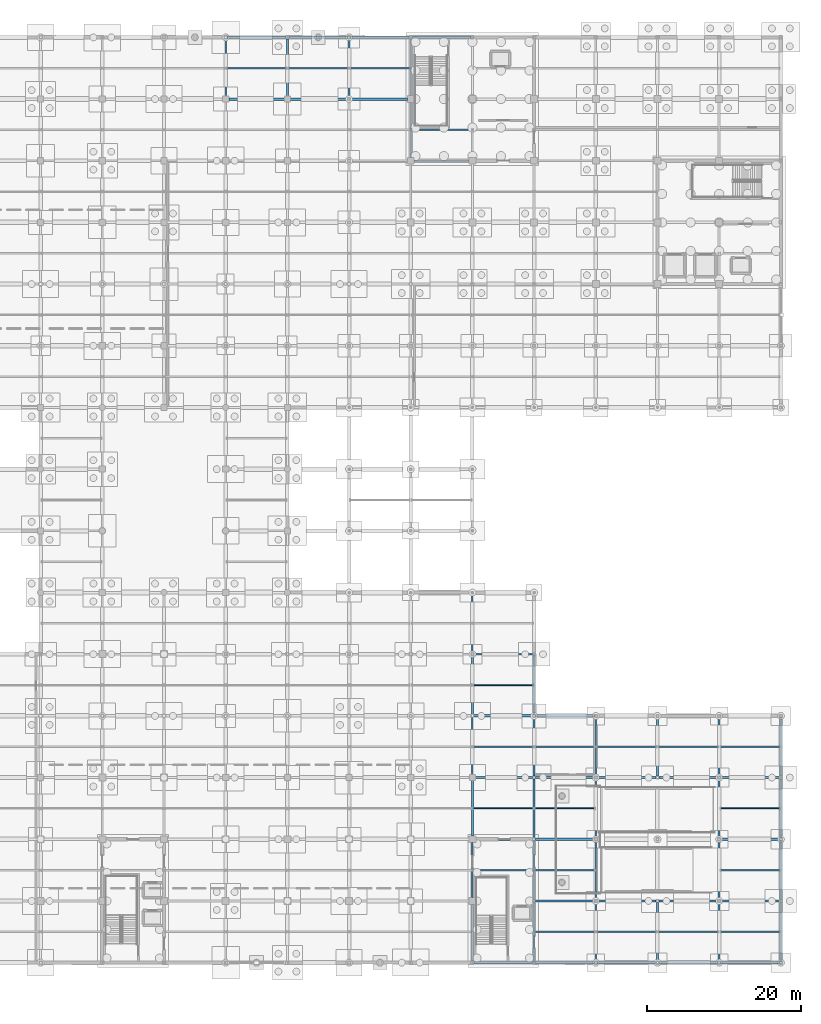
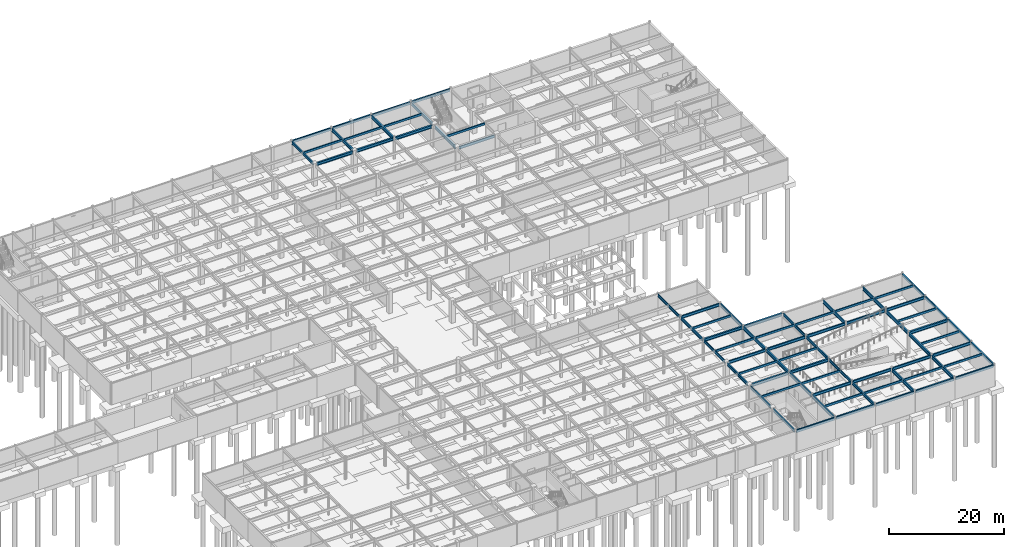
# One storey, part 51 of 105: 78 beams.
"""IFC4 building model written with IfcOpenShell, lengths in metres."""

from ifc_helpers import new_model, si_unit, direction, frame, origin, origin_2d, place, context, subcontext, project, spatial, hollow_rectangle, i_section, extrude, material, material_profile, profile_set, type_object, element, save


model = new_model("IFC4")

# Units and contexts
model_context = context("Model", 3, precision=1e-05, world=origin(), true_north=direction((0.0, 1.0)))
body_context = subcontext(model_context, "Body", "Model", "MODEL_VIEW")
ifc_project = project(units=[si_unit("LENGTHUNIT", "METRE"), si_unit("AREAUNIT", "SQUARE_METRE"), si_unit("VOLUMEUNIT", "CUBIC_METRE"), si_unit("PLANEANGLEUNIT", "RADIAN"), si_unit("MASSUNIT", "GRAM", prefix="KILO")], contexts=[model_context])

# Site, building, storey
site_placement = place(None, origin())
site = spatial("IfcSite", under=ifc_project, at=site_placement, CompositionType="ELEMENT")
building_placement = place(site_placement, origin())
building = spatial("IfcBuilding", under=site, at=building_placement, Name="Solmirada Galleria", CompositionType="ELEMENT")
storey_placement = place(building_placement, frame((0.0, 0.0, -4.800048828125)))
storey = spatial("IfcBuildingStorey", under=building, at=storey_placement, Name="B1", CompositionType="ELEMENT", Elevation=-4.800048828125)

# Beams
ifc_material_1 = material(Name="Steel S355 / ASTM A992 Grade 50", Category="steel")
ifc_material_profile_1 = material_profile(ifc_material_1, i_section(OverallWidth=0.323974609375, OverallDepth=0.611083984375, WebThickness=0.0126953125, FlangeThickness=0.01904296875, FilletRadius=0.014892578125, at=origin_2d()), Name="W24X104")
ifc_profile_set_1 = profile_set([ifc_material_profile_1], Name="Steel S355 / ASTM A992 Grade 50")
beam_type_1 = type_object("IfcBeamType", Name="BM-GIRD-W24A", PredefinedType="BEAM", material=ifc_profile_set_1)
beam_1_placement = place(storey_placement, frame((104.39990234375, 112.0, 4.274658203125), z_axis=(1.0, 0.0, 0.0), x_axis=(0.0, 1.0, 0.0)))
element("IfcBeam", 1, at=beam_1_placement, inside=storey, type_object=beam_type_1, Name="Primary beam L00 X(104..112, 112)", PredefinedType="BEAM", context=body_context, shape_type="SweptSolid", body=[
    extrude(i_section(OverallWidth=0.323974609375, OverallDepth=0.611083984375, WebThickness=0.0126953125, FlangeThickness=0.01904296875, FilletRadius=0.014892578125, at=origin_2d()), origin(), (0.0, 0.0, 1.0), 7.2001953125),
])
beam_2_placement = place(storey_placement, frame((112.39990234375, 112.0, 4.274658203125), z_axis=(1.0, 0.0, 0.0), x_axis=(0.0, 1.0, 0.0)))
element("IfcBeam", 2, at=beam_2_placement, inside=storey, type_object=beam_type_1, Name="Primary beam L00 X(112..120, 112)", PredefinedType="BEAM", context=body_context, shape_type="SweptSolid", body=[
    extrude(i_section(OverallWidth=0.323974609375, OverallDepth=0.611083984375, WebThickness=0.0126953125, FlangeThickness=0.01904296875, FilletRadius=0.014892578125, at=origin_2d()), origin(), (0.0, 0.0, 1.0), 7.422119140625),
])
for number, where, z_axis, x_axis, name in (
    (3, (120.177978515625, 112.0, 4.194580078125), (1.0, 0.0, 0.0), (0.0, 1.0, 0.0), "Primary beam L00 X(120..128, 112)"),
    (4, (136.449951171875, 16.0, 4.274658203125), (1.0, 0.0, 0.0), (0.0, 1.0, 0.0), "Primary beam L00 X(136..144, 16)"),
):
    element("IfcBeam", number, at=place(storey_placement, frame(where, z_axis=z_axis, x_axis=x_axis)), inside=storey, type_object=beam_type_1, Name=name, PredefinedType="BEAM", context=body_context, shape_type="SweptSolid", body=[
        extrude(i_section(OverallWidth=0.323974609375, OverallDepth=0.611083984375, WebThickness=0.0126953125, FlangeThickness=0.01904296875, FilletRadius=0.014892578125, at=origin_2d()), origin(), (0.0, 0.0, 1.0), 7.3720703125),
    ])
beam_3_placement = place(storey_placement, frame((136.17041015625, 32.0, 4.274658203125), z_axis=(1.0, 0.0, 0.0), x_axis=(0.0, 1.0, 0.0)))
element("IfcBeam", 5, at=beam_3_placement, inside=storey, type_object=beam_type_1, Name="Primary beam L00 X(136..144, 32)", PredefinedType="BEAM", context=body_context, shape_type="SweptSolid", body=[
    extrude(i_section(OverallWidth=0.323974609375, OverallDepth=0.611083984375, WebThickness=0.0126953125, FlangeThickness=0.01904296875, FilletRadius=0.014892578125, at=origin_2d()), origin(), (0.0, 0.0, 1.0), 7.6591796875),
])
beam_4_placement = place(storey_placement, frame((144.177978515625, 16.0, 4.274658203125), z_axis=(1.0, 0.0, 0.0), x_axis=(0.0, 1.0, 0.0)))
element("IfcBeam", 6, at=beam_4_placement, inside=storey, type_object=beam_type_1, Name="Primary beam L00 X(144..152, 16)", PredefinedType="BEAM", context=body_context, shape_type="SweptSolid", body=[
    extrude(i_section(OverallWidth=0.323974609375, OverallDepth=0.611083984375, WebThickness=0.0126953125, FlangeThickness=0.01904296875, FilletRadius=0.014892578125, at=origin_2d()), origin(), (0.0, 0.0, 1.0), 7.64404296875),
])
beam_5_placement = place(storey_placement, frame((144.17041015625, 32.0, 4.274658203125), z_axis=(1.0, 0.0, 0.0), x_axis=(0.0, 1.0, 0.0)))
element("IfcBeam", 7, at=beam_5_placement, inside=storey, type_object=beam_type_1, Name="Primary beam L00 X(144..152, 32)", PredefinedType="BEAM", context=body_context, shape_type="SweptSolid", body=[
    extrude(i_section(OverallWidth=0.323974609375, OverallDepth=0.611083984375, WebThickness=0.0126953125, FlangeThickness=0.01904296875, FilletRadius=0.014892578125, at=origin_2d()), origin(), (0.0, 0.0, 1.0), 7.651611328125),
])
beam_6_placement = place(storey_placement, frame((168.177978515625, 16.0, 4.274658203125), z_axis=(1.0, 0.0, 0.0), x_axis=(0.0, 1.0, 0.0)))
element("IfcBeam", 8, at=beam_6_placement, inside=storey, type_object=beam_type_1, Name="Primary beam L00 X(168..176, 16)", PredefinedType="BEAM", context=body_context, shape_type="SweptSolid", body=[
    extrude(i_section(OverallWidth=0.323974609375, OverallDepth=0.611083984375, WebThickness=0.0126953125, FlangeThickness=0.01904296875, FilletRadius=0.014892578125, at=origin_2d()), origin(), (0.0, 0.0, 1.0), 7.64404296875),
])
ifc_material_profile_2 = material_profile(ifc_material_1, i_section(OverallWidth=0.22900390625, OverallDepth=0.612060546875, WebThickness=0.011962890625, FlangeThickness=0.01953125, FilletRadius=0.014892578125, at=origin_2d()), Name="W24X84")
ifc_profile_set_2 = profile_set([ifc_material_profile_2], Name="Steel S355 / ASTM A992 Grade 50")
beam_type_2 = type_object("IfcBeamType", Name="BM-GIRD-W24B", PredefinedType="BEAM", material=ifc_profile_set_2)
beam_7_placement = place(storey_placement, frame((128.449951171875, 104.0, 4.194091796875), z_axis=(1.0, 0.0, 0.0), x_axis=(0.0, 1.0, 0.0)))
element("IfcBeam", 9, at=beam_7_placement, inside=storey, type_object=beam_type_2, Name="Primary beam L00 X(128..136, 104)", PredefinedType="BEAM", context=body_context, shape_type="SweptSolid", body=[
    extrude(i_section(OverallWidth=0.22900390625, OverallDepth=0.612060546875, WebThickness=0.011962890625, FlangeThickness=0.01953125, FilletRadius=0.014892578125, at=origin_2d()), origin(), (0.0, 0.0, 1.0), 7.10009765625),
])
beam_8_placement = place(storey_placement, frame((136.39990234375, 24.0, 4.274169921875), z_axis=(1.0, 0.0, 0.0), x_axis=(0.0, 1.0, 0.0)))
element("IfcBeam", 10, at=beam_8_placement, inside=storey, type_object=beam_type_2, Name="Primary beam L00 X(136..144, 24)", PredefinedType="BEAM", context=body_context, shape_type="SweptSolid", body=[
    extrude(i_section(OverallWidth=0.22900390625, OverallDepth=0.612060546875, WebThickness=0.011962890625, FlangeThickness=0.01953125, FilletRadius=0.014892578125, at=origin_2d()), origin(), (0.0, 0.0, 1.0), 7.422119140625),
])
for number, where, z_axis, x_axis, name in (
    (11, (136.177978515625, 40.0, 4.274169921875), (1.0, 0.0, 0.0), (0.0, 1.0, 0.0), "Primary beam L00 X(136..144, 40)"),
    (12, (144.177978515625, 8.0, 4.274169921875), (1.0, 0.0, 0.0), (0.0, 1.0, 0.0), "Primary beam L00 X(144..152, 8)"),
    (13, (144.177978515625, 24.0, 4.274169921875), (1.0, 0.0, 0.0), (0.0, 1.0, 0.0), "Primary beam L00 X(144..152, 24)"),
    (14, (152.177978515625, 8.0, 4.274169921875), (1.0, 0.0, 0.0), (0.0, 1.0, 0.0), "Primary beam L00 X(152..160, 8)"),
    (15, (152.177978515625, 24.0, 4.274169921875), (1.0, 0.0, 0.0), (0.0, 1.0, 0.0), "Primary beam L00 X(152..160, 24)"),
    (16, (160.177978515625, 8.0, 4.274169921875), (1.0, 0.0, 0.0), (0.0, 1.0, 0.0), "Primary beam L00 X(160..168, 8)"),
    (17, (160.177978515625, 24.0, 4.274169921875), (1.0, 0.0, 0.0), (0.0, 1.0, 0.0), "Primary beam L00 X(160..168, 24)"),
    (18, (168.177978515625, 8.0, 4.274169921875), (1.0, 0.0, 0.0), (0.0, 1.0, 0.0), "Primary beam L00 X(168..176, 8)"),
    (19, (168.177978515625, 24.0, 4.274169921875), (1.0, 0.0, 0.0), (0.0, 1.0, 0.0), "Primary beam L00 X(168..176, 24)"),
):
    element("IfcBeam", number, at=place(storey_placement, frame(where, z_axis=z_axis, x_axis=x_axis)), inside=storey, type_object=beam_type_2, Name=name, PredefinedType="BEAM", context=body_context, shape_type="SweptSolid", body=[
        extrude(i_section(OverallWidth=0.22900390625, OverallDepth=0.612060546875, WebThickness=0.011962890625, FlangeThickness=0.01953125, FilletRadius=0.014892578125, at=origin_2d()), origin(), (0.0, 0.0, 1.0), 7.64404296875),
    ])
ifc_material_profile_3 = material_profile(ifc_material_1, i_section(OverallWidth=0.22802734375, OverallDepth=0.60302734375, WebThickness=0.010498046875, FlangeThickness=0.014892578125, FilletRadius=0.014892578125, at=origin_2d()), Name="W24X68")
ifc_profile_set_3 = profile_set([ifc_material_profile_3], Name="Steel S355 / ASTM A992 Grade 50")
beam_type_3 = type_object("IfcBeamType", Name="BM-GIRD-W24C", PredefinedType="BEAM", material=ifc_profile_set_3)
beam_9_placement = place(storey_placement, frame((104.0, 112.39990234375, 4.278564453125), z_axis=(0.0, 1.0, 0.0), x_axis=(-1.0, 0.0, 0.0)))
element("IfcBeam", 20, at=beam_9_placement, inside=storey, type_object=beam_type_3, Name="Primary girder L00 Y(104, 112..120)", PredefinedType="BEAM", context=body_context, shape_type="SweptSolid", body=[
    extrude(i_section(OverallWidth=0.22802734375, OverallDepth=0.60302734375, WebThickness=0.010498046875, FlangeThickness=0.014892578125, FilletRadius=0.014892578125, at=origin_2d()), origin(), (0.0, 0.0, 1.0), 7.397216796875),
])
beam_10_placement = place(storey_placement, frame((136.0, 0.202880859375, 4.278564453125), z_axis=(0.0, 1.0, 0.0), x_axis=(-1.0, 0.0, 0.0)))
element("IfcBeam", 21, at=beam_10_placement, inside=storey, type_object=beam_type_3, Name="Primary girder L00 Y(136, 0..8)", PredefinedType="BEAM", context=body_context, shape_type="SweptSolid", body=[
    extrude(i_section(OverallWidth=0.22802734375, OverallDepth=0.60302734375, WebThickness=0.010498046875, FlangeThickness=0.014892578125, FilletRadius=0.014892578125, at=origin_2d()), origin(), (0.0, 0.0, 1.0), 7.34716796875),
])
beam_11_placement = place(storey_placement, frame((136.0, 16.449951171875, 4.278564453125), z_axis=(0.0, 1.0, 0.0), x_axis=(-1.0, 0.0, 0.0)))
element("IfcBeam", 22, at=beam_11_placement, inside=storey, type_object=beam_type_3, Name="Primary girder L00 Y(136, 16..24)", PredefinedType="BEAM", context=body_context, shape_type="SweptSolid", body=[
    extrude(i_section(OverallWidth=0.22802734375, OverallDepth=0.60302734375, WebThickness=0.010498046875, FlangeThickness=0.014892578125, FilletRadius=0.014892578125, at=origin_2d()), origin(), (0.0, 0.0, 1.0), 7.150146484375),
])
beam_12_placement = place(storey_placement, frame((136.0, 32.17041015625, 4.278564453125), z_axis=(0.0, 1.0, 0.0), x_axis=(-1.0, 0.0, 0.0)))
element("IfcBeam", 23, at=beam_12_placement, inside=storey, type_object=beam_type_3, Name="Primary girder L00 Y(136, 32..40)", PredefinedType="BEAM", context=body_context, shape_type="SweptSolid", body=[
    extrude(i_section(OverallWidth=0.22802734375, OverallDepth=0.60302734375, WebThickness=0.010498046875, FlangeThickness=0.014892578125, FilletRadius=0.014892578125, at=origin_2d()), origin(), (0.0, 0.0, 1.0), 7.651611328125),
])
for number, where, z_axis, x_axis, name in (
    (24, (152.0, 0.177978515625, 4.278564453125), (0.0, 1.0, 0.0), (-1.0, 0.0, 0.0), "Primary girder L00 Y(152, 0..8)"),
    (25, (152.0, 16.177978515625, 4.278564453125), (0.0, 1.0, 0.0), (-1.0, 0.0, 0.0), "Primary girder L00 Y(152, 16..24)"),
):
    element("IfcBeam", number, at=place(storey_placement, frame(where, z_axis=z_axis, x_axis=x_axis)), inside=storey, type_object=beam_type_3, Name=name, PredefinedType="BEAM", context=body_context, shape_type="SweptSolid", body=[
        extrude(i_section(OverallWidth=0.22802734375, OverallDepth=0.60302734375, WebThickness=0.010498046875, FlangeThickness=0.014892578125, FilletRadius=0.014892578125, at=origin_2d()), origin(), (0.0, 0.0, 1.0), 7.64404296875),
    ])
ifc_material_profile_4 = material_profile(ifc_material_1, i_section(OverallWidth=0.177978515625, OverallDepth=0.59912109375, WebThickness=0.010009765625, FlangeThickness=0.0126953125, FilletRadius=0.013916015625, at=origin_2d()), Name="W24X55")
ifc_profile_set_4 = profile_set([ifc_material_profile_4], Name="Steel S355 / ASTM A992 Grade 50")
beam_type_4 = type_object("IfcBeamType", Name="BM-GIRD-W24D", PredefinedType="BEAM", material=ifc_profile_set_4)
beam_13_placement = place(storey_placement, frame((136.0, 8.449951171875, 4.280517578125), z_axis=(0.0, 1.0, 0.0), x_axis=(-1.0, 0.0, 0.0)))
element("IfcBeam", 26, at=beam_13_placement, inside=storey, type_object=beam_type_4, Name="Primary girder L00 Y(136, 8..16)", PredefinedType="BEAM", context=body_context, shape_type="SweptSolid", body=[
    extrude(i_section(OverallWidth=0.177978515625, OverallDepth=0.59912109375, WebThickness=0.010009765625, FlangeThickness=0.0126953125, FilletRadius=0.013916015625, at=origin_2d()), origin(), (0.0, 0.0, 1.0), 7.10009765625),
])
beam_14_placement = place(storey_placement, frame((136.0, 24.39990234375, 4.280517578125), z_axis=(0.0, 1.0, 0.0), x_axis=(-1.0, 0.0, 0.0)))
element("IfcBeam", 27, at=beam_14_placement, inside=storey, type_object=beam_type_4, Name="Primary girder L00 Y(136, 24..32)", PredefinedType="BEAM", context=body_context, shape_type="SweptSolid", body=[
    extrude(i_section(OverallWidth=0.177978515625, OverallDepth=0.59912109375, WebThickness=0.010009765625, FlangeThickness=0.0126953125, FilletRadius=0.013916015625, at=origin_2d()), origin(), (0.0, 0.0, 1.0), 7.4296875),
])
beam_15_placement = place(storey_placement, frame((136.0, 40.177978515625, 4.280517578125), z_axis=(0.0, 1.0, 0.0), x_axis=(-1.0, 0.0, 0.0)))
element("IfcBeam", 28, at=beam_15_placement, inside=storey, type_object=beam_type_4, Name="Primary girder L00 Y(136, 40..48)", PredefinedType="BEAM", context=body_context, shape_type="SweptSolid", body=[
    extrude(i_section(OverallWidth=0.177978515625, OverallDepth=0.59912109375, WebThickness=0.010009765625, FlangeThickness=0.0126953125, FilletRadius=0.013916015625, at=origin_2d()), origin(), (0.0, 0.0, 1.0), 7.695068359375),
])
for number, where, z_axis, x_axis, name in (
    (29, (152.0, 8.177978515625, 4.280517578125), (0.0, 1.0, 0.0), (-1.0, 0.0, 0.0), "Primary girder L00 Y(152, 8..16)"),
    (30, (152.0, 24.177978515625, 4.280517578125), (0.0, 1.0, 0.0), (-1.0, 0.0, 0.0), "Primary girder L00 Y(152, 24..32)"),
):
    element("IfcBeam", number, at=place(storey_placement, frame(where, z_axis=z_axis, x_axis=x_axis)), inside=storey, type_object=beam_type_4, Name=name, PredefinedType="BEAM", context=body_context, shape_type="SweptSolid", body=[
        extrude(i_section(OverallWidth=0.177978515625, OverallDepth=0.59912109375, WebThickness=0.010009765625, FlangeThickness=0.0126953125, FilletRadius=0.013916015625, at=origin_2d()), origin(), (0.0, 0.0, 1.0), 7.64404296875),
    ])
ifc_material_profile_5 = material_profile(ifc_material_1, i_section(OverallWidth=0.256103515625, OverallDepth=0.693115234375, WebThickness=0.014404296875, FlangeThickness=0.023681640625, FilletRadius=0.01806640625, at=origin_2d()), Name="W27X114")
ifc_profile_set_5 = profile_set([ifc_material_profile_5], Name="Steel S355 / ASTM A992 Grade 50")
beam_type_5 = type_object("IfcBeamType", Name="BM-GIRD-W27A", PredefinedType="BEAM", material=ifc_profile_set_5)
for number, where, z_axis, x_axis, name in (
    (31, (120.0, 112.177978515625, 4.153564453125), (0.0, 1.0, 0.0), (-1.0, 0.0, 0.0), "Primary girder L00 Y(120, 112..120)"),
    (32, (144.0, 0.177978515625, 4.233642578125), (0.0, 1.0, 0.0), (-1.0, 0.0, 0.0), "Primary girder L00 Y(144, 0..8)"),
    (33, (144.0, 8.177978515625, 4.233642578125), (0.0, 1.0, 0.0), (-1.0, 0.0, 0.0), "Primary girder L00 Y(144, 8..16)"),
    (34, (144.0, 16.177978515625, 4.233642578125), (0.0, 1.0, 0.0), (-1.0, 0.0, 0.0), "Primary girder L00 Y(144, 16..24)"),
):
    element("IfcBeam", number, at=place(storey_placement, frame(where, z_axis=z_axis, x_axis=x_axis)), inside=storey, type_object=beam_type_5, Name=name, PredefinedType="BEAM", context=body_context, shape_type="SweptSolid", body=[
        extrude(i_section(OverallWidth=0.256103515625, OverallDepth=0.693115234375, WebThickness=0.014404296875, FlangeThickness=0.023681640625, FilletRadius=0.01806640625, at=origin_2d()), origin(), (0.0, 0.0, 1.0), 7.64404296875),
    ])
for number, where, z_axis, x_axis, name in (
    (35, (144.0, 24.177978515625, 4.233642578125), (0.0, 1.0, 0.0), (-1.0, 0.0, 0.0), "Primary girder L00 Y(144, 24..32)"),
    (36, (144.0, 32.17041015625, 4.233642578125), (0.0, 1.0, 0.0), (-1.0, 0.0, 0.0), "Primary girder L00 Y(144, 32..40)"),
):
    element("IfcBeam", number, at=place(storey_placement, frame(where, z_axis=z_axis, x_axis=x_axis)), inside=storey, type_object=beam_type_5, Name=name, PredefinedType="BEAM", context=body_context, shape_type="SweptSolid", body=[
        extrude(i_section(OverallWidth=0.256103515625, OverallDepth=0.693115234375, WebThickness=0.014404296875, FlangeThickness=0.023681640625, FilletRadius=0.01806640625, at=origin_2d()), origin(), (0.0, 0.0, 1.0), 7.651611328125),
    ])
for number, where, z_axis, x_axis, name in (
    (37, (168.0, 0.177978515625, 4.233642578125), (0.0, 1.0, 0.0), (-1.0, 0.0, 0.0), "Primary girder L00 Y(168, 0..8)"),
    (38, (168.0, 8.177978515625, 4.233642578125), (0.0, 1.0, 0.0), (-1.0, 0.0, 0.0), "Primary girder L00 Y(168, 8..16)"),
    (39, (168.0, 16.177978515625, 4.233642578125), (0.0, 1.0, 0.0), (-1.0, 0.0, 0.0), "Primary girder L00 Y(168, 16..24)"),
    (40, (168.0, 24.177978515625, 4.233642578125), (0.0, 1.0, 0.0), (-1.0, 0.0, 0.0), "Primary girder L00 Y(168, 24..32)"),
):
    element("IfcBeam", number, at=place(storey_placement, frame(where, z_axis=z_axis, x_axis=x_axis)), inside=storey, type_object=beam_type_5, Name=name, PredefinedType="BEAM", context=body_context, shape_type="SweptSolid", body=[
        extrude(i_section(OverallWidth=0.256103515625, OverallDepth=0.693115234375, WebThickness=0.014404296875, FlangeThickness=0.023681640625, FilletRadius=0.01806640625, at=origin_2d()), origin(), (0.0, 0.0, 1.0), 7.64404296875),
    ])
ifc_material_profile_6 = material_profile(ifc_material_1, i_section(OverallWidth=0.25390625, OverallDepth=0.68408203125, WebThickness=0.012451171875, FlangeThickness=0.018798828125, FilletRadius=0.01708984375, at=origin_2d()), Name="W27X94")
ifc_profile_set_6 = profile_set([ifc_material_profile_6], Name="Steel S355 / ASTM A992 Grade 50")
beam_type_6 = type_object("IfcBeamType", Name="BM-GIRD-W27B", PredefinedType="BEAM", material=ifc_profile_set_6)
beam_16_placement = place(storey_placement, frame((112.0, 112.39990234375, 4.238037109375), z_axis=(0.0, 1.0, 0.0), x_axis=(-1.0, 0.0, 0.0)))
element("IfcBeam", 41, at=beam_16_placement, inside=storey, type_object=beam_type_6, Name="Primary girder L00 Y(112, 112..120)", PredefinedType="BEAM", context=body_context, shape_type="SweptSolid", body=[
    extrude(i_section(OverallWidth=0.25390625, OverallDepth=0.68408203125, WebThickness=0.012451171875, FlangeThickness=0.018798828125, FilletRadius=0.01708984375, at=origin_2d()), origin(), (0.0, 0.0, 1.0), 7.397216796875),
])
beam_17_placement = place(storey_placement, frame((128.0, 104.449951171875, 4.157958984375), z_axis=(0.0, 1.0, 0.0), x_axis=(-1.0, 0.0, 0.0)))
element("IfcBeam", 42, at=beam_17_placement, inside=storey, type_object=beam_type_6, Name="Primary girder L00 Y(128, 104..112)", PredefinedType="BEAM", context=body_context, shape_type="SweptSolid", body=[
    extrude(i_section(OverallWidth=0.25390625, OverallDepth=0.68408203125, WebThickness=0.012451171875, FlangeThickness=0.018798828125, FilletRadius=0.01708984375, at=origin_2d()), origin(), (0.0, 0.0, 1.0), 7.10009765625),
])
beam_18_placement = place(storey_placement, frame((128.0, 112.449951171875, 4.157958984375), z_axis=(0.0, 1.0, 0.0), x_axis=(-1.0, 0.0, 0.0)))
element("IfcBeam", 43, at=beam_18_placement, inside=storey, type_object=beam_type_6, Name="Primary girder L00 Y(128, 112..120)", PredefinedType="BEAM", context=body_context, shape_type="SweptSolid", body=[
    extrude(i_section(OverallWidth=0.25390625, OverallDepth=0.68408203125, WebThickness=0.012451171875, FlangeThickness=0.018798828125, FilletRadius=0.01708984375, at=origin_2d()), origin(), (0.0, 0.0, 1.0), 7.34716796875),
])
for number, where, z_axis, x_axis, name in (
    (44, (160.0, 0.177978515625, 4.238037109375), (0.0, 1.0, 0.0), (-1.0, 0.0, 0.0), "Primary girder L00 Y(160, 0..8)"),
    (45, (160.0, 24.177978515625, 4.238037109375), (0.0, 1.0, 0.0), (-1.0, 0.0, 0.0), "Primary girder L00 Y(160, 24..32)"),
):
    element("IfcBeam", number, at=place(storey_placement, frame(where, z_axis=z_axis, x_axis=x_axis)), inside=storey, type_object=beam_type_6, Name=name, PredefinedType="BEAM", context=body_context, shape_type="SweptSolid", body=[
        extrude(i_section(OverallWidth=0.25390625, OverallDepth=0.68408203125, WebThickness=0.012451171875, FlangeThickness=0.018798828125, FilletRadius=0.01708984375, at=origin_2d()), origin(), (0.0, 0.0, 1.0), 7.64404296875),
    ])
ifc_material_2 = material(Name="Steel S355 / ASTM A500 Grade C", Category="steel")
ifc_material_profile_7 = material_profile(ifc_material_2, hollow_rectangle(XDim=0.202880859375, YDim=0.45703125, WallThickness=0.01171875, InnerFilletRadius=0.01171875, OuterFilletRadius=0.023681640625, at=origin_2d()), Name="HSS18X8X1/2")
ifc_profile_set_7 = profile_set([ifc_material_profile_7], Name="Steel S355 / ASTM A500 Grade C")
beam_type_7 = type_object("IfcBeamType", Name="BM-JST-W16A", PredefinedType="JOIST", material=ifc_profile_set_7)
beam_19_placement = place(storey_placement, frame((104.114013671875, 116.0, 4.3515625), z_axis=(1.0, 0.0, 0.0), x_axis=(0.0, 1.0, 0.0)))
element("IfcBeam", 46, at=beam_19_placement, inside=storey, type_object=beam_type_7, Name="Composite floor joist L00 (104..112, 116.0)", PredefinedType="JOIST", context=body_context, shape_type="SweptSolid", body=[
    extrude(hollow_rectangle(XDim=0.202880859375, YDim=0.45703125, WallThickness=0.01171875, InnerFilletRadius=0.01171875, OuterFilletRadius=0.023681640625, at=origin_2d()), origin(), (0.0, 0.0, 1.0), 7.759033203125),
])
for number, where, z_axis, x_axis, name in (
    (47, (112.126953125, 116.0, 4.271484375), (1.0, 0.0, 0.0), (0.0, 1.0, 0.0), "Composite floor joist L00 (112..120, 116.0)"),
    (48, (120.1279296875, 116.0, 4.271484375), (1.0, 0.0, 0.0), (0.0, 1.0, 0.0), "Composite floor joist L00 (120..128, 116.0)"),
):
    element("IfcBeam", number, at=place(storey_placement, frame(where, z_axis=z_axis, x_axis=x_axis)), inside=storey, type_object=beam_type_7, Name=name, PredefinedType="JOIST", context=body_context, shape_type="SweptSolid", body=[
        extrude(hollow_rectangle(XDim=0.202880859375, YDim=0.45703125, WallThickness=0.01171875, InnerFilletRadius=0.01171875, OuterFilletRadius=0.023681640625, at=origin_2d()), origin(), (0.0, 0.0, 1.0), 7.7451171875),
    ])
beam_20_placement = place(storey_placement, frame((128.126953125, 108.0, 4.271484375), z_axis=(1.0, 0.0, 0.0), x_axis=(0.0, 1.0, 0.0)))
element("IfcBeam", 49, at=beam_20_placement, inside=storey, type_object=beam_type_7, Name="Composite floor joist L00 (128..136, 108.0)", PredefinedType="JOIST", context=body_context, shape_type="SweptSolid", body=[
    extrude(hollow_rectangle(XDim=0.202880859375, YDim=0.45703125, WallThickness=0.01171875, InnerFilletRadius=0.01171875, OuterFilletRadius=0.023681640625, at=origin_2d()), origin(), (0.0, 0.0, 1.0), 7.783935546875),
])
beam_21_placement = place(storey_placement, frame((136.089111328125, 12.0, 4.3515625), z_axis=(1.0, 0.0, 0.0), x_axis=(0.0, 1.0, 0.0)))
element("IfcBeam", 50, at=beam_21_placement, inside=storey, type_object=beam_type_7, Name="Composite floor joist L00 (136..144, 12.0)", PredefinedType="JOIST", context=body_context, shape_type="SweptSolid", body=[
    extrude(hollow_rectangle(XDim=0.202880859375, YDim=0.45703125, WallThickness=0.01171875, InnerFilletRadius=0.01171875, OuterFilletRadius=0.023681640625, at=origin_2d()), origin(), (0.0, 0.0, 1.0), 7.782958984375),
])
beam_22_placement = place(storey_placement, frame((136.114013671875, 20.0, 4.3515625), z_axis=(1.0, 0.0, 0.0), x_axis=(0.0, 1.0, 0.0)))
element("IfcBeam", 51, at=beam_22_placement, inside=storey, type_object=beam_type_7, Name="Composite floor joist L00 (136..144, 20.0)", PredefinedType="JOIST", context=body_context, shape_type="SweptSolid", body=[
    extrude(hollow_rectangle(XDim=0.202880859375, YDim=0.45703125, WallThickness=0.01171875, InnerFilletRadius=0.01171875, OuterFilletRadius=0.023681640625, at=origin_2d()), origin(), (0.0, 0.0, 1.0), 7.758056640625),
])
beam_23_placement = place(storey_placement, frame((136.089111328125, 28.0, 4.3515625), z_axis=(1.0, 0.0, 0.0), x_axis=(0.0, 1.0, 0.0)))
element("IfcBeam", 52, at=beam_23_placement, inside=storey, type_object=beam_type_7, Name="Composite floor joist L00 (136..144, 28.0)", PredefinedType="JOIST", context=body_context, shape_type="SweptSolid", body=[
    extrude(hollow_rectangle(XDim=0.202880859375, YDim=0.45703125, WallThickness=0.01171875, InnerFilletRadius=0.01171875, OuterFilletRadius=0.023681640625, at=origin_2d()), origin(), (0.0, 0.0, 1.0), 7.782958984375),
])
for number, where, z_axis, x_axis, name in (
    (53, (136.114013671875, 36.0, 4.3515625), (1.0, 0.0, 0.0), (0.0, 1.0, 0.0), "Composite floor joist L00 (136..144, 36.0)"),
    (54, (144.1279296875, 4.0, 4.3515625), (1.0, 0.0, 0.0), (0.0, 1.0, 0.0), "Composite floor joist L00 (144..152, 4.0)"),
):
    element("IfcBeam", number, at=place(storey_placement, frame(where, z_axis=z_axis, x_axis=x_axis)), inside=storey, type_object=beam_type_7, Name=name, PredefinedType="JOIST", context=body_context, shape_type="SweptSolid", body=[
        extrude(hollow_rectangle(XDim=0.202880859375, YDim=0.45703125, WallThickness=0.01171875, InnerFilletRadius=0.01171875, OuterFilletRadius=0.023681640625, at=origin_2d()), origin(), (0.0, 0.0, 1.0), 7.758056640625),
    ])
beam_24_placement = place(storey_placement, frame((144.1279296875, 12.0, 4.3515625), z_axis=(1.0, 0.0, 0.0), x_axis=(0.0, 1.0, 0.0)))
element("IfcBeam", 55, at=beam_24_placement, inside=storey, type_object=beam_type_7, Name="Composite floor joist L00 (144..152, 12.0)", PredefinedType="JOIST", context=body_context, shape_type="SweptSolid", body=[
    extrude(hollow_rectangle(XDim=0.202880859375, YDim=0.45703125, WallThickness=0.01171875, InnerFilletRadius=0.01171875, OuterFilletRadius=0.023681640625, at=origin_2d()), origin(), (0.0, 0.0, 1.0), 7.782958984375),
])
beam_25_placement = place(storey_placement, frame((144.1279296875, 20.0, 4.3515625), z_axis=(1.0, 0.0, 0.0), x_axis=(0.0, 1.0, 0.0)))
element("IfcBeam", 56, at=beam_25_placement, inside=storey, type_object=beam_type_7, Name="Composite floor joist L00 (144..152, 20.0)", PredefinedType="JOIST", context=body_context, shape_type="SweptSolid", body=[
    extrude(hollow_rectangle(XDim=0.202880859375, YDim=0.45703125, WallThickness=0.01171875, InnerFilletRadius=0.01171875, OuterFilletRadius=0.023681640625, at=origin_2d()), origin(), (0.0, 0.0, 1.0), 7.758056640625),
])
beam_26_placement = place(storey_placement, frame((144.1279296875, 28.0, 4.3515625), z_axis=(1.0, 0.0, 0.0), x_axis=(0.0, 1.0, 0.0)))
element("IfcBeam", 57, at=beam_26_placement, inside=storey, type_object=beam_type_7, Name="Composite floor joist L00 (144..152, 28.0)", PredefinedType="JOIST", context=body_context, shape_type="SweptSolid", body=[
    extrude(hollow_rectangle(XDim=0.202880859375, YDim=0.45703125, WallThickness=0.01171875, InnerFilletRadius=0.01171875, OuterFilletRadius=0.023681640625, at=origin_2d()), origin(), (0.0, 0.0, 1.0), 7.782958984375),
])
beam_27_placement = place(storey_placement, frame((152.114013671875, 4.0, 4.3515625), z_axis=(1.0, 0.0, 0.0), x_axis=(0.0, 1.0, 0.0)))
element("IfcBeam", 58, at=beam_27_placement, inside=storey, type_object=beam_type_7, Name="Composite floor joist L00 (152..160, 4.0)", PredefinedType="JOIST", context=body_context, shape_type="SweptSolid", body=[
    extrude(hollow_rectangle(XDim=0.202880859375, YDim=0.45703125, WallThickness=0.01171875, InnerFilletRadius=0.01171875, OuterFilletRadius=0.023681640625, at=origin_2d()), origin(), (0.0, 0.0, 1.0), 7.759033203125),
])
beam_28_placement = place(storey_placement, frame((152.089111328125, 28.0, 4.3515625), z_axis=(1.0, 0.0, 0.0), x_axis=(0.0, 1.0, 0.0)))
element("IfcBeam", 59, at=beam_28_placement, inside=storey, type_object=beam_type_7, Name="Composite floor joist L00 (152..160, 28.0)", PredefinedType="JOIST", context=body_context, shape_type="SweptSolid", body=[
    extrude(hollow_rectangle(XDim=0.202880859375, YDim=0.45703125, WallThickness=0.01171875, InnerFilletRadius=0.01171875, OuterFilletRadius=0.023681640625, at=origin_2d()), origin(), (0.0, 0.0, 1.0), 7.783935546875),
])
for number, where, z_axis, x_axis, name in (
    (60, (160.126953125, 4.0, 4.3515625), (1.0, 0.0, 0.0), (0.0, 1.0, 0.0), "Composite floor joist L00 (160..168, 4.0)"),
    (61, (160.126953125, 28.0, 4.3515625), (1.0, 0.0, 0.0), (0.0, 1.0, 0.0), "Composite floor joist L00 (160..168, 28.0)"),
):
    element("IfcBeam", number, at=place(storey_placement, frame(where, z_axis=z_axis, x_axis=x_axis)), inside=storey, type_object=beam_type_7, Name=name, PredefinedType="JOIST", context=body_context, shape_type="SweptSolid", body=[
        extrude(hollow_rectangle(XDim=0.202880859375, YDim=0.45703125, WallThickness=0.01171875, InnerFilletRadius=0.01171875, OuterFilletRadius=0.023681640625, at=origin_2d()), origin(), (0.0, 0.0, 1.0), 7.7451171875),
    ])
for number, where, z_axis, x_axis, name in (
    (62, (168.1279296875, 4.0, 4.3515625), (1.0, 0.0, 0.0), (0.0, 1.0, 0.0), "Composite floor joist L00 (168..176, 4.0)"),
    (63, (168.1279296875, 12.0, 4.3515625), (1.0, 0.0, 0.0), (0.0, 1.0, 0.0), "Composite floor joist L00 (168..176, 12.0)"),
    (64, (168.1279296875, 20.0, 4.3515625), (1.0, 0.0, 0.0), (0.0, 1.0, 0.0), "Composite floor joist L00 (168..176, 20.0)"),
    (65, (168.1279296875, 28.0, 4.3515625), (1.0, 0.0, 0.0), (0.0, 1.0, 0.0), "Composite floor joist L00 (168..176, 28.0)"),
):
    element("IfcBeam", number, at=place(storey_placement, frame(where, z_axis=z_axis, x_axis=x_axis)), inside=storey, type_object=beam_type_7, Name=name, PredefinedType="JOIST", context=body_context, shape_type="SweptSolid", body=[
        extrude(hollow_rectangle(XDim=0.202880859375, YDim=0.45703125, WallThickness=0.01171875, InnerFilletRadius=0.01171875, OuterFilletRadius=0.023681640625, at=origin_2d()), origin(), (0.0, 0.0, 1.0), 7.719482421875),
    ])
ifc_material_profile_8 = material_profile(ifc_material_2, hollow_rectangle(XDim=0.304931640625, YDim=0.55908203125, WallThickness=0.01171875, InnerFilletRadius=0.01171875, OuterFilletRadius=0.023681640625, at=origin_2d()), Name="HSS22X12X1/2")
ifc_profile_set_8 = profile_set([ifc_material_profile_8], Name="Steel S355 / ASTM A500 Grade C")
beam_type_8 = type_object("IfcBeamType", Name="BM-SPAND-W21", PredefinedType="SPANDREL", material=ifc_profile_set_8)
beam_29_placement = place(storey_placement, frame((104.202880859375, 120.0, 4.300537109375), z_axis=(1.0, 0.0, 0.0), x_axis=(0.0, 1.0, 0.0)))
element("IfcBeam", 66, at=beam_29_placement, inside=storey, type_object=beam_type_8, Name="Primary beam L00 X(104..112, 120)", PredefinedType="SPANDREL", context=body_context, shape_type="SweptSolid", body=[
    extrude(hollow_rectangle(XDim=0.304931640625, YDim=0.55908203125, WallThickness=0.01171875, InnerFilletRadius=0.01171875, OuterFilletRadius=0.023681640625, at=origin_2d()), origin(), (0.0, 0.0, 1.0), 7.59423828125),
])
for number, where, z_axis, x_axis, name in (
    (67, (112.202880859375, 120.0, 4.300537109375), (1.0, 0.0, 0.0), (0.0, 1.0, 0.0), "Primary beam L00 X(112..120, 120)"),
    (68, (120.177978515625, 120.0, 4.220458984375), (1.0, 0.0, 0.0), (0.0, 1.0, 0.0), "Primary beam L00 X(120..128, 120)"),
):
    element("IfcBeam", number, at=place(storey_placement, frame(where, z_axis=z_axis, x_axis=x_axis)), inside=storey, type_object=beam_type_8, Name=name, PredefinedType="SPANDREL", context=body_context, shape_type="SweptSolid", body=[
        extrude(hollow_rectangle(XDim=0.304931640625, YDim=0.55908203125, WallThickness=0.01171875, InnerFilletRadius=0.01171875, OuterFilletRadius=0.023681640625, at=origin_2d()), origin(), (0.0, 0.0, 1.0), 7.619140625),
    ])
beam_30_placement = place(storey_placement, frame((128.202880859375, 120.0, 4.220458984375), z_axis=(1.0, 0.0, 0.0), x_axis=(0.0, 1.0, 0.0)))
element("IfcBeam", 69, at=beam_30_placement, inside=storey, type_object=beam_type_8, Name="Primary beam L00 X(128..136, 120)", PredefinedType="SPANDREL", context=body_context, shape_type="SweptSolid", body=[
    extrude(hollow_rectangle(XDim=0.304931640625, YDim=0.55908203125, WallThickness=0.01171875, InnerFilletRadius=0.01171875, OuterFilletRadius=0.023681640625, at=origin_2d()), origin(), (0.0, 0.0, 1.0), 7.59423828125),
])
beam_31_placement = place(storey_placement, frame((136.202880859375, 0.0, 4.300537109375), z_axis=(1.0, 0.0, 0.0), x_axis=(0.0, 1.0, 0.0)))
element("IfcBeam", 70, at=beam_31_placement, inside=storey, type_object=beam_type_8, Name="Primary beam L00 X(136..144, 0)", PredefinedType="SPANDREL", context=body_context, shape_type="SweptSolid", body=[
    extrude(hollow_rectangle(XDim=0.304931640625, YDim=0.55908203125, WallThickness=0.01171875, InnerFilletRadius=0.01171875, OuterFilletRadius=0.023681640625, at=origin_2d()), origin(), (0.0, 0.0, 1.0), 7.619140625),
])
for number, where, z_axis, x_axis, name in (
    (71, (144.177978515625, 0.0, 4.300537109375), (1.0, 0.0, 0.0), (0.0, 1.0, 0.0), "Primary beam L00 X(144..152, 0)"),
    (72, (152.177978515625, 0.0, 4.300537109375), (1.0, 0.0, 0.0), (0.0, 1.0, 0.0), "Primary beam L00 X(152..160, 0)"),
    (73, (160.177978515625, 0.0, 4.300537109375), (1.0, 0.0, 0.0), (0.0, 1.0, 0.0), "Primary beam L00 X(160..168, 0)"),
    (74, (168.177978515625, 0.0, 4.300537109375), (1.0, 0.0, 0.0), (0.0, 1.0, 0.0), "Primary beam L00 X(168..176, 0)"),
    (75, (176.0, 0.177978515625, 4.300537109375), (0.0, 1.0, 0.0), (-1.0, 0.0, 0.0), "Primary girder L00 Y(176, 0..8)"),
    (76, (176.0, 8.177978515625, 4.300537109375), (0.0, 1.0, 0.0), (-1.0, 0.0, 0.0), "Primary girder L00 Y(176, 8..16)"),
    (77, (176.0, 16.177978515625, 4.300537109375), (0.0, 1.0, 0.0), (-1.0, 0.0, 0.0), "Primary girder L00 Y(176, 16..24)"),
    (78, (176.0, 24.177978515625, 4.300537109375), (0.0, 1.0, 0.0), (-1.0, 0.0, 0.0), "Primary girder L00 Y(176, 24..32)"),
):
    element("IfcBeam", number, at=place(storey_placement, frame(where, z_axis=z_axis, x_axis=x_axis)), inside=storey, type_object=beam_type_8, Name=name, PredefinedType="SPANDREL", context=body_context, shape_type="SweptSolid", body=[
        extrude(hollow_rectangle(XDim=0.304931640625, YDim=0.55908203125, WallThickness=0.01171875, InnerFilletRadius=0.01171875, OuterFilletRadius=0.023681640625, at=origin_2d()), origin(), (0.0, 0.0, 1.0), 7.64404296875),
    ])

save(model, "model.ifc")
